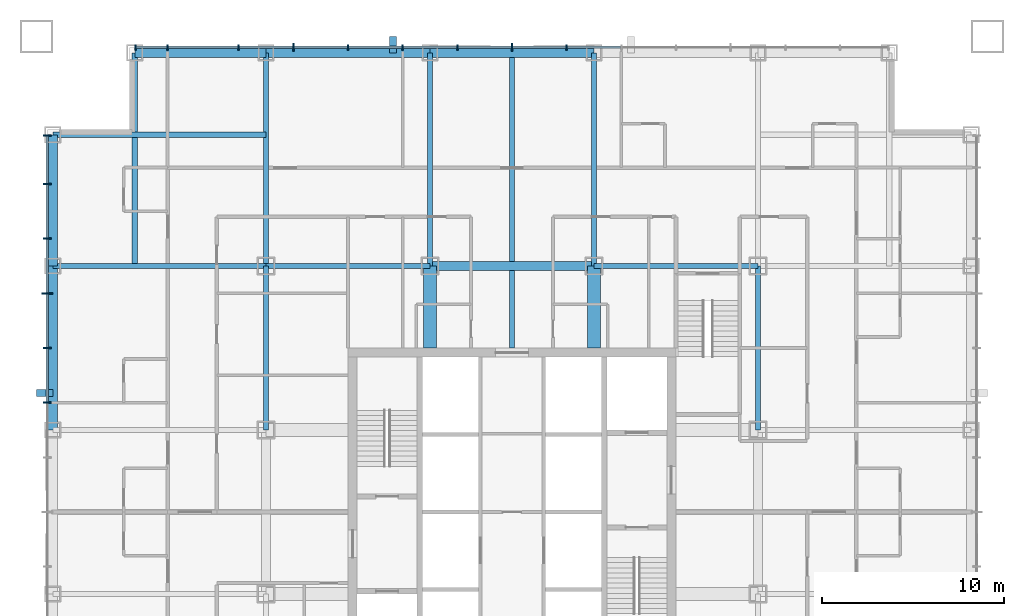
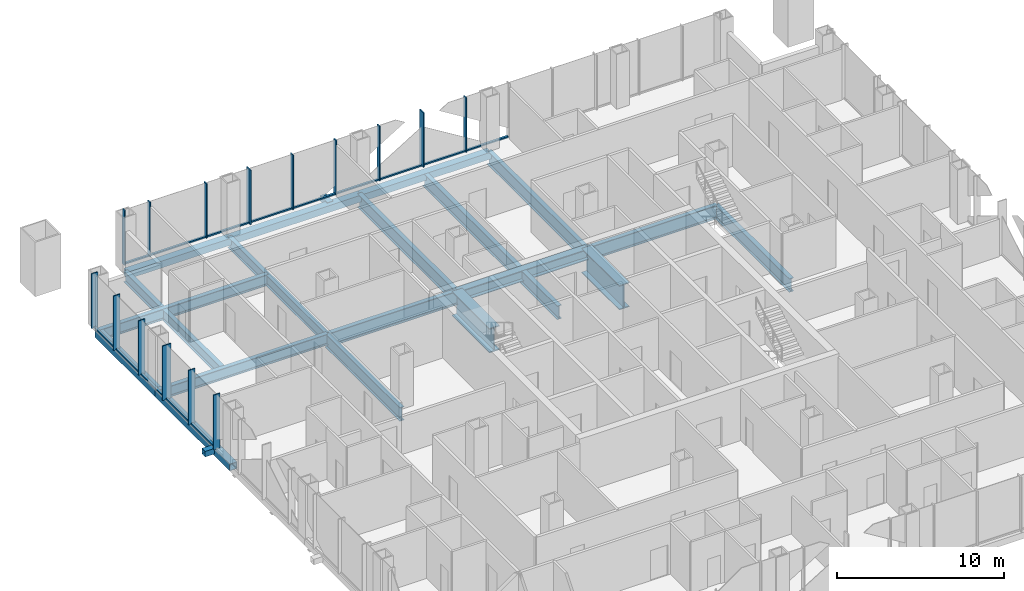
# One storey, part 4 of 13: 31 members, 19 beams, 2 elements without a shape of their own.
"""IFC4 building model written with IfcOpenShell, lengths in metres."""

from ifc_helpers import new_model, si_unit, direction, frame, origin, origin_2d, place, context, subcontext, project, spatial, rectangle, hollow_rectangle, i_section, extrude, material, layer, layer_set, material_profile, profile_set, type_object, element, aggregate, save


model = new_model("IFC4")

# Units and contexts
model_context = context("Model", 3, precision=1e-05, world=origin(), true_north=direction((0.0, 1.0)))
body_context = subcontext(model_context, "Body", "Model", "MODEL_VIEW")
ifc_project = project(units=[si_unit("LENGTHUNIT", "METRE"), si_unit("AREAUNIT", "SQUARE_METRE"), si_unit("VOLUMEUNIT", "CUBIC_METRE"), si_unit("PLANEANGLEUNIT", "RADIAN"), si_unit("MASSUNIT", "GRAM", prefix="KILO")], contexts=[model_context])

# Site, building, storey
site_placement = place(None, origin())
site = spatial("IfcSite", under=ifc_project, at=site_placement, CompositionType="ELEMENT")
building_placement = place(site_placement, origin())
building = spatial("IfcBuilding", under=site, at=building_placement, Name="Malebo Sky Hospital", CompositionType="ELEMENT")
storey_placement = place(building_placement, frame((0.0, 0.0, 75.0)))
storey = spatial("IfcBuildingStorey", under=building, at=storey_placement, Name="L17", CompositionType="ELEMENT", Elevation=75.0)

# Curtain wall, members
ifc_material_1 = material(Name="Anodised aluminium, natural silver", Category="aluminium")
ifc_layer_1 = layer(ifc_material_1, 0.25)
ifc_layer_set_1 = layer_set([ifc_layer_1], Name="WARD CURTAIN WALL NORTH AND SOUTH")
curtain_wall_type_1 = type_object("IfcCurtainWallType", Name="WARD CURTAIN WALL NORTH AND SOUTH", PredefinedType="NOTDEFINED", material=ifc_layer_set_1)
curtain_wall_1_placement = place(storey_placement, origin())
curtain_wall_1 = element("IfcCurtainWall", 1, at=curtain_wall_1_placement, inside=storey, type_object=curtain_wall_type_1, Name="NS curtain wall N", PredefinedType="NOTDEFINED")
ifc_material_profile_1 = material_profile(ifc_material_1, rectangle(XDim=0.14990234375, YDim=0.10009765625, at=origin_2d()), Name="ALUMINIUM TRANSOM 150x100")
ifc_profile_set_1 = profile_set([ifc_material_profile_1], Name="Anodised aluminium, natural silver")
member_type_1 = type_object("IfcMemberType", Name="ALUMINIUM TRANSOM 150x100", PredefinedType="USERDEFINED", material=ifc_profile_set_1)
member_1_placement = place(storey_placement, frame((39.375, 87.5, 0.050048828125), z_axis=(1.0, 0.0, 0.0), x_axis=(0.0, 1.0, 0.0)))
member_1 = element("IfcMember", 2, at=member_1_placement, type_object=member_type_1, Name="Transom 1", ObjectType="TRANSOM", PredefinedType="USERDEFINED", context=body_context, shape_type="SweptSolid", body=[
    extrude(rectangle(XDim=0.14990234375, YDim=0.10009765625, at=origin_2d()), origin(), (0.0, 0.0, 1.0), 1.6875),
])
member_2_placement = place(storey_placement, frame((41.137451171875, 87.5, 0.050048828125), z_axis=(1.0, 0.0, 0.0), x_axis=(0.0, 1.0, 0.0)))
member_2 = element("IfcMember", 3, at=member_2_placement, type_object=member_type_1, Name="Transom 2", ObjectType="TRANSOM", PredefinedType="USERDEFINED", context=body_context, shape_type="SweptSolid", body=[
    extrude(rectangle(XDim=0.14990234375, YDim=0.10009765625, at=origin_2d()), origin(), (0.0, 0.0, 1.0), 3.824951171875),
])
member_3_placement = place(storey_placement, frame((45.03759765625, 87.5, 0.050048828125), z_axis=(1.0, 0.0, 0.0), x_axis=(0.0, 1.0, 0.0)))
member_3 = element("IfcMember", 4, at=member_3_placement, type_object=member_type_1, Name="Transom 3", ObjectType="TRANSOM", PredefinedType="USERDEFINED", context=body_context, shape_type="SweptSolid", body=[
    extrude(rectangle(XDim=0.14990234375, YDim=0.10009765625, at=origin_2d()), origin(), (0.0, 0.0, 1.0), 2.9248046875),
])
member_4_placement = place(storey_placement, frame((48.03759765625, 87.5, 0.050048828125), z_axis=(1.0, 0.0, 0.0), x_axis=(0.0, 1.0, 0.0)))
member_4 = element("IfcMember", 5, at=member_4_placement, type_object=member_type_1, Name="Transom 4", ObjectType="TRANSOM", PredefinedType="USERDEFINED", context=body_context, shape_type="SweptSolid", body=[
    extrude(rectangle(XDim=0.14990234375, YDim=0.10009765625, at=origin_2d()), origin(), (0.0, 0.0, 1.0), 2.9248046875),
])
member_5_placement = place(storey_placement, frame((51.03759765625, 87.5, 0.050048828125), z_axis=(1.0, 0.0, 0.0), x_axis=(0.0, 1.0, 0.0)))
member_5 = element("IfcMember", 6, at=member_5_placement, type_object=member_type_1, Name="Transom 5", ObjectType="TRANSOM", PredefinedType="USERDEFINED", context=body_context, shape_type="SweptSolid", body=[
    extrude(rectangle(XDim=0.14990234375, YDim=0.10009765625, at=origin_2d()), origin(), (0.0, 0.0, 1.0), 2.9248046875),
])
member_6_placement = place(storey_placement, frame((54.03759765625, 87.5, 0.050048828125), z_axis=(1.0, 0.0, 0.0), x_axis=(0.0, 1.0, 0.0)))
member_6 = element("IfcMember", 7, at=member_6_placement, type_object=member_type_1, Name="Transom 6", ObjectType="TRANSOM", PredefinedType="USERDEFINED", context=body_context, shape_type="SweptSolid", body=[
    extrude(rectangle(XDim=0.14990234375, YDim=0.10009765625, at=origin_2d()), origin(), (0.0, 0.0, 1.0), 2.9248046875),
])
member_7_placement = place(storey_placement, frame((57.03759765625, 87.5, 0.050048828125), z_axis=(1.0, 0.0, 0.0), x_axis=(0.0, 1.0, 0.0)))
member_7 = element("IfcMember", 8, at=member_7_placement, type_object=member_type_1, Name="Transom 7", ObjectType="TRANSOM", PredefinedType="USERDEFINED", context=body_context, shape_type="SweptSolid", body=[
    extrude(rectangle(XDim=0.14990234375, YDim=0.10009765625, at=origin_2d()), origin(), (0.0, 0.0, 1.0), 2.9248046875),
])
member_8_placement = place(storey_placement, frame((60.03759765625, 87.5, 0.050048828125), z_axis=(1.0, 0.0, 0.0), x_axis=(0.0, 1.0, 0.0)))
member_8 = element("IfcMember", 9, at=member_8_placement, type_object=member_type_1, Name="Transom 8", ObjectType="TRANSOM", PredefinedType="USERDEFINED", context=body_context, shape_type="SweptSolid", body=[
    extrude(rectangle(XDim=0.14990234375, YDim=0.10009765625, at=origin_2d()), origin(), (0.0, 0.0, 1.0), 2.9248046875),
])
member_9_placement = place(storey_placement, frame((63.03759765625, 87.5, 0.050048828125), z_axis=(1.0, 0.0, 0.0), x_axis=(0.0, 1.0, 0.0)))
member_9 = element("IfcMember", 10, at=member_9_placement, type_object=member_type_1, Name="Transom 9", ObjectType="TRANSOM", PredefinedType="USERDEFINED", context=body_context, shape_type="SweptSolid", body=[
    extrude(rectangle(XDim=0.14990234375, YDim=0.10009765625, at=origin_2d()), origin(), (0.0, 0.0, 1.0), 2.9248046875),
])

ifc_layer_2 = layer(ifc_material_1, 0.25)
ifc_layer_set_2 = layer_set([ifc_layer_2], Name="WARD CURTAIN WALL EAST AND WEST")
curtain_wall_type_2 = type_object("IfcCurtainWallType", Name="WARD CURTAIN WALL EAST AND WEST", PredefinedType="NOTDEFINED", material=ifc_layer_set_2)
curtain_wall_2_placement = place(storey_placement, origin())
curtain_wall_2 = element("IfcCurtainWall", 11, at=curtain_wall_2_placement, inside=storey, type_object=curtain_wall_type_2, Name="EW curtain wall W", PredefinedType="NOTDEFINED")
member_10_placement = place(storey_placement, frame((34.5, 68.03759765625, 0.050048828125), z_axis=(0.0, 1.0, 0.0), x_axis=(-1.0, 0.0, 0.0)))
member_10 = element("IfcMember", 12, at=member_10_placement, type_object=member_type_1, Name="Transom 10", ObjectType="TRANSOM", PredefinedType="USERDEFINED", context=body_context, shape_type="SweptSolid", body=[
    extrude(rectangle(XDim=0.14990234375, YDim=0.10009765625, at=origin_2d()), origin(), (0.0, 0.0, 1.0), 2.9248046875),
])
member_11_placement = place(storey_placement, frame((34.5, 71.03759765625, 0.050048828125), z_axis=(0.0, 1.0, 0.0), x_axis=(-1.0, 0.0, 0.0)))
member_11 = element("IfcMember", 13, at=member_11_placement, type_object=member_type_1, Name="Transom 11", ObjectType="TRANSOM", PredefinedType="USERDEFINED", context=body_context, shape_type="SweptSolid", body=[
    extrude(rectangle(XDim=0.14990234375, YDim=0.10009765625, at=origin_2d()), origin(), (0.0, 0.0, 1.0), 2.9248046875),
])
member_12_placement = place(storey_placement, frame((34.5, 74.03759765625, 0.050048828125), z_axis=(0.0, 1.0, 0.0), x_axis=(-1.0, 0.0, 0.0)))
member_12 = element("IfcMember", 14, at=member_12_placement, type_object=member_type_1, Name="Transom 12", ObjectType="TRANSOM", PredefinedType="USERDEFINED", context=body_context, shape_type="SweptSolid", body=[
    extrude(rectangle(XDim=0.14990234375, YDim=0.10009765625, at=origin_2d()), origin(), (0.0, 0.0, 1.0), 2.9248046875),
])
member_13_placement = place(storey_placement, frame((34.5, 77.03759765625, 0.050048828125), z_axis=(0.0, 1.0, 0.0), x_axis=(-1.0, 0.0, 0.0)))
member_13 = element("IfcMember", 15, at=member_13_placement, type_object=member_type_1, Name="Transom 13", ObjectType="TRANSOM", PredefinedType="USERDEFINED", context=body_context, shape_type="SweptSolid", body=[
    extrude(rectangle(XDim=0.14990234375, YDim=0.10009765625, at=origin_2d()), origin(), (0.0, 0.0, 1.0), 2.9248046875),
])
member_14_placement = place(storey_placement, frame((34.5, 80.03759765625, 0.050048828125), z_axis=(0.0, 1.0, 0.0), x_axis=(-1.0, 0.0, 0.0)))
member_14 = element("IfcMember", 16, at=member_14_placement, type_object=member_type_1, Name="Transom 14", ObjectType="TRANSOM", PredefinedType="USERDEFINED", context=body_context, shape_type="SweptSolid", body=[
    extrude(rectangle(XDim=0.14990234375, YDim=0.10009765625, at=origin_2d()), origin(), (0.0, 0.0, 1.0), 2.58740234375),
])

# Members
ifc_material_2 = material(Name="Steel S355", Category="steel")
ifc_material_profile_2 = material_profile(ifc_material_2, hollow_rectangle(XDim=0.39990234375, YDim=0.39990234375, WallThickness=0.02001953125, at=origin_2d()), Name="SHS 400x20")
ifc_profile_set_2 = profile_set([ifc_material_profile_2], Name="Steel S355")
member_type_2 = type_object("IfcMemberType", Name="BRACE STRUT SHS 400x20", PredefinedType="STRUT", material=ifc_profile_set_2)
for number, where, z_axis, x_axis, name in (
    (17, (53.47509765625, 88.10009765625, -0.39990234375), (0.0, -1.0, 0.0), (1.0, 0.0, 0.0), "Brace strut AN2 L17"),
    (18, (33.89990234375, 68.52490234375, -0.39990234375), (1.0, 0.0, 0.0), (0.0, 1.0, 0.0), "Brace strut AW1 L17"),
):
    element("IfcMember", number, at=place(storey_placement, frame(where, z_axis=z_axis, x_axis=x_axis)), inside=storey, type_object=member_type_2, Name=name, PredefinedType="STRUT", context=body_context, shape_type="SweptSolid", body=[
        extrude(hollow_rectangle(XDim=0.39990234375, YDim=0.39990234375, WallThickness=0.02001953125, at=origin_2d()), origin(), (0.0, 0.0, 1.0), 0.900146484375),
    ])

# Member
ifc_material_profile_3 = material_profile(ifc_material_1, rectangle(XDim=0.074951171875, YDim=0.300048828125, at=origin_2d()), Name="CW1 ALUMINIUM FIN MULLION 75x300")
ifc_profile_set_3 = profile_set([ifc_material_profile_3], Name="Anodised aluminium, natural silver")
member_type_3 = type_object("IfcMemberType", Name="CW1 ALUMINIUM FIN MULLION 75x300", PredefinedType="MULLION", material=ifc_profile_set_3)
member_15_placement = place(storey_placement, frame((39.33740234375, 87.5, 0.0), z_axis=(0.0, 0.0, 1.0), x_axis=(1.0, 0.0, 0.0)))
member_15 = element("IfcMember", 19, at=member_15_placement, type_object=member_type_3, Name="Fin mullion 1", PredefinedType="MULLION", context=body_context, shape_type="SweptSolid", body=[
    extrude(rectangle(XDim=0.074951171875, YDim=0.300048828125, at=origin_2d()), origin(), (0.0, 0.0, 1.0), 4.0),
])

member_16_placement = place(storey_placement, frame((41.10009765625, 87.5, 0.0), z_axis=(0.0, 0.0, 1.0), x_axis=(1.0, 0.0, 0.0)))
member_16 = element("IfcMember", 20, at=member_16_placement, type_object=member_type_3, Name="Fin mullion 2", PredefinedType="MULLION", context=body_context, shape_type="SweptSolid", body=[
    extrude(rectangle(XDim=0.074951171875, YDim=0.300048828125, at=origin_2d()), origin(), (0.0, 0.0, 1.0), 4.0),
])

member_17_placement = place(storey_placement, frame((45.0, 87.5, 0.0), z_axis=(0.0, 0.0, 1.0), x_axis=(1.0, 0.0, 0.0)))
member_17 = element("IfcMember", 21, at=member_17_placement, type_object=member_type_3, Name="Fin mullion 3", PredefinedType="MULLION", context=body_context, shape_type="SweptSolid", body=[
    extrude(rectangle(XDim=0.074951171875, YDim=0.300048828125, at=origin_2d()), origin(), (0.0, 0.0, 1.0), 4.0),
])

member_18_placement = place(storey_placement, frame((51.0, 87.5, 0.0), z_axis=(0.0, 0.0, 1.0), x_axis=(1.0, 0.0, 0.0)))
member_18 = element("IfcMember", 22, at=member_18_placement, type_object=member_type_3, Name="Fin mullion 5", PredefinedType="MULLION", context=body_context, shape_type="SweptSolid", body=[
    extrude(rectangle(XDim=0.074951171875, YDim=0.300048828125, at=origin_2d()), origin(), (0.0, 0.0, 1.0), 4.0),
])

member_19_placement = place(storey_placement, frame((54.0, 87.5, 0.0), z_axis=(0.0, 0.0, 1.0), x_axis=(1.0, 0.0, 0.0)))
member_19 = element("IfcMember", 23, at=member_19_placement, type_object=member_type_3, Name="Fin mullion 6", PredefinedType="MULLION", context=body_context, shape_type="SweptSolid", body=[
    extrude(rectangle(XDim=0.074951171875, YDim=0.300048828125, at=origin_2d()), origin(), (0.0, 0.0, 1.0), 4.0),
])

member_20_placement = place(storey_placement, frame((57.0, 87.5, 0.0), z_axis=(0.0, 0.0, 1.0), x_axis=(1.0, 0.0, 0.0)))
member_20 = element("IfcMember", 24, at=member_20_placement, type_object=member_type_3, Name="Fin mullion 7", PredefinedType="MULLION", context=body_context, shape_type="SweptSolid", body=[
    extrude(rectangle(XDim=0.074951171875, YDim=0.300048828125, at=origin_2d()), origin(), (0.0, 0.0, 1.0), 4.0),
])

member_21_placement = place(storey_placement, frame((63.0, 87.5, 0.0), z_axis=(0.0, 0.0, 1.0), x_axis=(1.0, 0.0, 0.0)))
member_21 = element("IfcMember", 25, at=member_21_placement, type_object=member_type_3, Name="Fin mullion 9", PredefinedType="MULLION", context=body_context, shape_type="SweptSolid", body=[
    extrude(rectangle(XDim=0.074951171875, YDim=0.300048828125, at=origin_2d()), origin(), (0.0, 0.0, 1.0), 4.0),
])

ifc_material_profile_4 = material_profile(ifc_material_1, rectangle(XDim=0.074951171875, YDim=0.449951171875, at=origin_2d()), Name="CW1 ALUMINIUM FIN MULLION 75x450")
ifc_profile_set_4 = profile_set([ifc_material_profile_4], Name="Anodised aluminium, natural silver")
member_type_4 = type_object("IfcMemberType", Name="CW1 ALUMINIUM FIN MULLION 75x450", PredefinedType="MULLION", material=ifc_profile_set_4)
member_22_placement = place(storey_placement, frame((48.0, 87.5, 0.0), z_axis=(0.0, 0.0, 1.0), x_axis=(1.0, 0.0, 0.0)))
member_22 = element("IfcMember", 26, at=member_22_placement, type_object=member_type_4, Name="Fin mullion 4", PredefinedType="MULLION", context=body_context, shape_type="SweptSolid", body=[
    extrude(rectangle(XDim=0.074951171875, YDim=0.449951171875, at=origin_2d()), origin(), (0.0, 0.0, 1.0), 4.0),
])

member_23_placement = place(storey_placement, frame((60.0, 87.5, 0.0), z_axis=(0.0, 0.0, 1.0), x_axis=(1.0, 0.0, 0.0)))
member_23 = element("IfcMember", 27, at=member_23_placement, type_object=member_type_4, Name="Fin mullion 8", PredefinedType="MULLION", context=body_context, shape_type="SweptSolid", body=[
    extrude(rectangle(XDim=0.074951171875, YDim=0.449951171875, at=origin_2d()), origin(), (0.0, 0.0, 1.0), 4.0),
])

aggregate(curtain_wall_1, [member_15, member_16, member_17, member_22, member_18, member_19, member_20, member_23, member_21, member_1, member_2, member_3, member_4, member_5, member_6, member_7, member_8, member_9])

ifc_material_profile_5 = material_profile(ifc_material_1, rectangle(XDim=0.074951171875, YDim=0.449951171875, at=origin_2d()), Name="CW2 ALUMINIUM FIN MULLION 75x450")
ifc_profile_set_5 = profile_set([ifc_material_profile_5], Name="Anodised aluminium, natural silver")
member_type_5 = type_object("IfcMemberType", Name="CW2 ALUMINIUM FIN MULLION 75x450", PredefinedType="MULLION", material=ifc_profile_set_5)
member_24_placement = place(storey_placement, frame((34.5, 68.0, 0.0), z_axis=(0.0, 0.0, 1.0), x_axis=(0.0, 1.0, 0.0)))
member_24 = element("IfcMember", 28, at=member_24_placement, type_object=member_type_5, Name="Fin mullion 10", PredefinedType="MULLION", context=body_context, shape_type="SweptSolid", body=[
    extrude(rectangle(XDim=0.074951171875, YDim=0.449951171875, at=origin_2d()), origin(), (0.0, 0.0, 1.0), 4.0),
])

member_25_placement = place(storey_placement, frame((34.5, 71.0, 0.0), z_axis=(0.0, 0.0, 1.0), x_axis=(0.0, 1.0, 0.0)))
member_25 = element("IfcMember", 29, at=member_25_placement, type_object=member_type_5, Name="Fin mullion 11", PredefinedType="MULLION", context=body_context, shape_type="SweptSolid", body=[
    extrude(rectangle(XDim=0.074951171875, YDim=0.449951171875, at=origin_2d()), origin(), (0.0, 0.0, 1.0), 4.0),
])

member_26_placement = place(storey_placement, frame((34.5, 77.0, 0.0), z_axis=(0.0, 0.0, 1.0), x_axis=(0.0, 1.0, 0.0)))
member_26 = element("IfcMember", 30, at=member_26_placement, type_object=member_type_5, Name="Fin mullion 13", PredefinedType="MULLION", context=body_context, shape_type="SweptSolid", body=[
    extrude(rectangle(XDim=0.074951171875, YDim=0.449951171875, at=origin_2d()), origin(), (0.0, 0.0, 1.0), 4.0),
])

member_27_placement = place(storey_placement, frame((34.5, 80.0, 0.0), z_axis=(0.0, 0.0, 1.0), x_axis=(0.0, 1.0, 0.0)))
member_27 = element("IfcMember", 31, at=member_27_placement, type_object=member_type_5, Name="Fin mullion 14", PredefinedType="MULLION", context=body_context, shape_type="SweptSolid", body=[
    extrude(rectangle(XDim=0.074951171875, YDim=0.449951171875, at=origin_2d()), origin(), (0.0, 0.0, 1.0), 4.0),
])

member_28_placement = place(storey_placement, frame((34.5, 82.66259765625, 0.0), z_axis=(0.0, 0.0, 1.0), x_axis=(0.0, 1.0, 0.0)))
member_28 = element("IfcMember", 32, at=member_28_placement, type_object=member_type_5, Name="Fin mullion 15", PredefinedType="MULLION", context=body_context, shape_type="SweptSolid", body=[
    extrude(rectangle(XDim=0.074951171875, YDim=0.449951171875, at=origin_2d()), origin(), (0.0, 0.0, 1.0), 4.0),
])

ifc_material_profile_6 = material_profile(ifc_material_1, rectangle(XDim=0.074951171875, YDim=0.60009765625, at=origin_2d()), Name="CW2 ALUMINIUM FIN MULLION 75x600")
ifc_profile_set_6 = profile_set([ifc_material_profile_6], Name="Anodised aluminium, natural silver")
member_type_6 = type_object("IfcMemberType", Name="CW2 ALUMINIUM FIN MULLION 75x600", PredefinedType="MULLION", material=ifc_profile_set_6)
member_29_placement = place(storey_placement, frame((34.5, 74.0, 0.0), z_axis=(0.0, 0.0, 1.0), x_axis=(0.0, 1.0, 0.0)))
member_29 = element("IfcMember", 33, at=member_29_placement, type_object=member_type_6, Name="Fin mullion 12", PredefinedType="MULLION", context=body_context, shape_type="SweptSolid", body=[
    extrude(rectangle(XDim=0.074951171875, YDim=0.60009765625, at=origin_2d()), origin(), (0.0, 0.0, 1.0), 4.0),
])

aggregate(curtain_wall_2, [member_24, member_25, member_29, member_26, member_27, member_28, member_10, member_11, member_12, member_13, member_14])

# Beams
ifc_material_3 = material(Name="Steel S460", Category="steel")
ifc_material_profile_7 = material_profile(ifc_material_3, hollow_rectangle(XDim=0.5, YDim=0.5, WallThickness=0.030029296875, at=origin_2d()), Name="BOX 500x500x30")
ifc_profile_set_7 = profile_set([ifc_material_profile_7], Name="Steel S460")
beam_type_1 = type_object("IfcBeamType", Name="EDGE BEAM BOX 500x500x30", PredefinedType="BEAM", material=ifc_profile_set_7)
beam_1_placement = place(storey_placement, frame((34.800048828125, 66.5, -0.5), z_axis=(0.0, 1.0, 0.0), x_axis=(-1.0, 0.0, 0.0)))
element("IfcBeam", 34, at=beam_1_placement, inside=storey, type_object=beam_type_1, Name="Beam 003 L17", PredefinedType="BEAM", context=body_context, shape_type="SweptSolid", body=[
    extrude(hollow_rectangle(XDim=0.5, YDim=0.5, WallThickness=0.030029296875, at=origin_2d()), origin(), (0.0, 0.0, 1.0), 9.0),
])
for number, where, z_axis, x_axis, name in (
    (35, (34.800048828125, 75.5, -0.5), (0.0, 1.0, 0.0), (-1.0, 0.0, 0.0), "Beam 004 L17"),
    (36, (39.300048828125, 87.199951171875, -0.5), (1.0, 0.0, 0.0), (0.0, 1.0, 0.0), "Beam 063 L17"),
):
    element("IfcBeam", number, at=place(storey_placement, frame(where, z_axis=z_axis, x_axis=x_axis)), inside=storey, type_object=beam_type_1, Name=name, PredefinedType="BEAM", context=body_context, shape_type="SweptSolid", body=[
        extrude(hollow_rectangle(XDim=0.5, YDim=0.5, WallThickness=0.030029296875, at=origin_2d()), origin(), (0.0, 0.0, 1.0), 7.199951171875),
    ])
for number, where, z_axis, x_axis, name in (
    (37, (46.5, 87.199951171875, -0.5), (1.0, 0.0, 0.0), (0.0, 1.0, 0.0), "Beam 064 L17"),
    (38, (55.5, 87.199951171875, -0.5), (1.0, 0.0, 0.0), (0.0, 1.0, 0.0), "Beam 065 L17"),
):
    element("IfcBeam", number, at=place(storey_placement, frame(where, z_axis=z_axis, x_axis=x_axis)), inside=storey, type_object=beam_type_1, Name=name, PredefinedType="BEAM", context=body_context, shape_type="SweptSolid", body=[
        extrude(hollow_rectangle(XDim=0.5, YDim=0.5, WallThickness=0.030029296875, at=origin_2d()), origin(), (0.0, 0.0, 1.0), 9.0),
    ])
ifc_material_profile_8 = material_profile(ifc_material_2, i_section(OverallWidth=0.300048828125, OverallDepth=1.0, WebThickness=0.01904296875, FlangeThickness=0.035888671875, FilletRadius=0.030029296875, at=origin_2d()), Name="HEB 1000")
ifc_profile_set_8 = profile_set([ifc_material_profile_8], Name="Steel S355")
beam_type_2 = type_object("IfcBeamType", Name="FLOOR BEAM HEB 1000", PredefinedType="BEAM", material=ifc_profile_set_8)
beam_2_placement = place(storey_placement, frame((46.5, 66.5, -0.75), z_axis=(0.0, 1.0, 0.0), x_axis=(-1.0, 0.0, 0.0)))
element("IfcBeam", 39, at=beam_2_placement, inside=storey, type_object=beam_type_2, Name="Beam 010 L17", PredefinedType="BEAM", context=body_context, shape_type="SweptSolid", body=[
    extrude(i_section(OverallWidth=0.300048828125, OverallDepth=1.0, WebThickness=0.01904296875, FlangeThickness=0.035888671875, FilletRadius=0.030029296875, at=origin_2d()), origin(), (0.0, 0.0, 1.0), 9.0),
])
beam_3_placement = place(storey_placement, frame((55.5, 75.5, -0.75), z_axis=(0.0, 1.0, 0.0), x_axis=(-1.0, 0.0, 0.0)))
element("IfcBeam", 40, at=beam_3_placement, inside=storey, type_object=beam_type_2, Name="Beam 015 L17", PredefinedType="BEAM", context=body_context, shape_type="SweptSolid", body=[
    extrude(i_section(OverallWidth=0.300048828125, OverallDepth=1.0, WebThickness=0.01904296875, FlangeThickness=0.035888671875, FilletRadius=0.030029296875, at=origin_2d()), origin(), (0.0, 0.0, 1.0), 11.699951171875),
])
beam_4_placement = place(storey_placement, frame((60.0, 71.0, -0.75), z_axis=(0.0, 1.0, 0.0), x_axis=(-1.0, 0.0, 0.0)))
element("IfcBeam", 41, at=beam_4_placement, inside=storey, type_object=beam_type_2, Name="Beam 017 L17", PredefinedType="BEAM", context=body_context, shape_type="SweptSolid", body=[
    extrude(i_section(OverallWidth=0.300048828125, OverallDepth=1.0, WebThickness=0.01904296875, FlangeThickness=0.035888671875, FilletRadius=0.030029296875, at=origin_2d()), origin(), (0.0, 0.0, 1.0), 16.199951171875),
])
beam_5_placement = place(storey_placement, frame((64.5, 75.5, -0.75), z_axis=(0.0, 1.0, 0.0), x_axis=(-1.0, 0.0, 0.0)))
element("IfcBeam", 42, at=beam_5_placement, inside=storey, type_object=beam_type_2, Name="Beam 021 L17", PredefinedType="BEAM", context=body_context, shape_type="SweptSolid", body=[
    extrude(i_section(OverallWidth=0.300048828125, OverallDepth=1.0, WebThickness=0.01904296875, FlangeThickness=0.035888671875, FilletRadius=0.030029296875, at=origin_2d()), origin(), (0.0, 0.0, 1.0), 11.699951171875),
])
for number, where, z_axis, x_axis, name in (
    (43, (73.5, 66.5, -0.75), (0.0, 1.0, 0.0), (-1.0, 0.0, 0.0), "Beam 025 L17"),
    (44, (46.5, 75.5, -0.75), (1.0, 0.0, 0.0), (0.0, 1.0, 0.0), "Beam 057 L17"),
    (45, (64.5, 75.5, -0.75), (1.0, 0.0, 0.0), (0.0, 1.0, 0.0), "Beam 059 L17"),
):
    element("IfcBeam", number, at=place(storey_placement, frame(where, z_axis=z_axis, x_axis=x_axis)), inside=storey, type_object=beam_type_2, Name=name, PredefinedType="BEAM", context=body_context, shape_type="SweptSolid", body=[
        extrude(i_section(OverallWidth=0.300048828125, OverallDepth=1.0, WebThickness=0.01904296875, FlangeThickness=0.035888671875, FilletRadius=0.030029296875, at=origin_2d()), origin(), (0.0, 0.0, 1.0), 9.0),
    ])
ifc_material_profile_9 = material_profile(ifc_material_2, i_section(OverallWidth=0.300048828125, OverallDepth=0.800048828125, WebThickness=0.017578125, FlangeThickness=0.032958984375, FilletRadius=0.030029296875, at=origin_2d()), Name="HEB 800")
ifc_profile_set_9 = profile_set([ifc_material_profile_9], Name="Steel S355")
beam_type_3 = type_object("IfcBeamType", Name="FLOOR BEAM HEB 800", PredefinedType="BEAM", material=ifc_profile_set_9)
for number, where, z_axis, x_axis, name in (
    (46, (39.300048828125, 75.5, -0.64990234375), (0.0, 1.0, 0.0), (-1.0, 0.0, 0.0), "Beam 006 L17"),
    (47, (34.800048828125, 82.699951171875, -0.64990234375), (1.0, 0.0, 0.0), (0.0, 1.0, 0.0), "Beam 061 L17"),
):
    element("IfcBeam", number, at=place(storey_placement, frame(where, z_axis=z_axis, x_axis=x_axis)), inside=storey, type_object=beam_type_3, Name=name, PredefinedType="BEAM", context=body_context, shape_type="SweptSolid", body=[
        extrude(i_section(OverallWidth=0.300048828125, OverallDepth=0.800048828125, WebThickness=0.017578125, FlangeThickness=0.032958984375, FilletRadius=0.030029296875, at=origin_2d()), origin(), (0.0, 0.0, 1.0), 11.699951171875),
    ])
ifc_material_profile_10 = material_profile(ifc_material_2, i_section(OverallWidth=0.699951171875, OverallDepth=1.800048828125, WebThickness=0.034912109375, FlangeThickness=0.070068359375, at=origin_2d()), Name="PG 1800x700x35x70")
ifc_profile_set_10 = profile_set([ifc_material_profile_10], Name="Steel S355")
beam_type_4 = type_object("IfcBeamType", Name="FLOOR BEAM PG 1800x700x35x70", PredefinedType="BEAM", material=ifc_profile_set_10)
for number, where, z_axis, x_axis, name in (
    (48, (55.5, 71.0, -1.14990234375), (0.0, 1.0, 0.0), (-1.0, 0.0, 0.0), "Beam 014 L17"),
    (49, (64.5, 71.0, -1.14990234375), (0.0, 1.0, 0.0), (-1.0, 0.0, 0.0), "Beam 020 L17"),
):
    element("IfcBeam", number, at=place(storey_placement, frame(where, z_axis=z_axis, x_axis=x_axis)), inside=storey, type_object=beam_type_4, Name=name, PredefinedType="BEAM", context=body_context, shape_type="SweptSolid", body=[
        extrude(i_section(OverallWidth=0.699951171875, OverallDepth=1.800048828125, WebThickness=0.034912109375, FlangeThickness=0.070068359375, at=origin_2d()), origin(), (0.0, 0.0, 1.0), 4.5),
    ])
ifc_material_profile_11 = material_profile(ifc_material_2, i_section(OverallWidth=0.300048828125, OverallDepth=0.800048828125, WebThickness=0.017578125, FlangeThickness=0.032958984375, FilletRadius=0.030029296875, at=origin_2d()), Name="HEB 800")
ifc_profile_set_11 = profile_set([ifc_material_profile_11], Name="Steel S355")
beam_type_5 = type_object("IfcBeamType", Name="FLOOR GIRDER HEB 800", PredefinedType="BEAM", material=ifc_profile_set_11)
for number, where, z_axis, x_axis, name in (
    (50, (46.5, 75.5, -0.64990234375), (0.0, 1.0, 0.0), (-1.0, 0.0, 0.0), "Beam 011 L17"),
    (51, (34.800048828125, 75.5, -0.64990234375), (1.0, 0.0, 0.0), (0.0, 1.0, 0.0), "Beam 056 L17"),
):
    element("IfcBeam", number, at=place(storey_placement, frame(where, z_axis=z_axis, x_axis=x_axis)), inside=storey, type_object=beam_type_5, Name=name, PredefinedType="BEAM", context=body_context, shape_type="SweptSolid", body=[
        extrude(i_section(OverallWidth=0.300048828125, OverallDepth=0.800048828125, WebThickness=0.017578125, FlangeThickness=0.032958984375, FilletRadius=0.030029296875, at=origin_2d()), origin(), (0.0, 0.0, 1.0), 11.699951171875),
    ])
ifc_material_profile_12 = material_profile(ifc_material_2, i_section(OverallWidth=0.5, OverallDepth=0.800048828125, WebThickness=0.030029296875, FlangeThickness=0.050048828125, at=origin_2d()), Name="PG 800x500x30x50")
ifc_profile_set_12 = profile_set([ifc_material_profile_12], Name="Steel S355")
beam_type_6 = type_object("IfcBeamType", Name="RING GIRDER PG 800x500x30x50", PredefinedType="BEAM", material=ifc_profile_set_12)
beam_6_placement = place(storey_placement, frame((55.5, 75.5, -0.64990234375), z_axis=(1.0, 0.0, 0.0), x_axis=(0.0, 1.0, 0.0)))
element("IfcBeam", 52, at=beam_6_placement, inside=storey, type_object=beam_type_6, Name="Beam 058 L17", PredefinedType="BEAM", context=body_context, shape_type="SweptSolid", body=[
    extrude(i_section(OverallWidth=0.5, OverallDepth=0.800048828125, WebThickness=0.030029296875, FlangeThickness=0.050048828125, at=origin_2d()), origin(), (0.0, 0.0, 1.0), 9.0),
])

save(model, "model.ifc")
